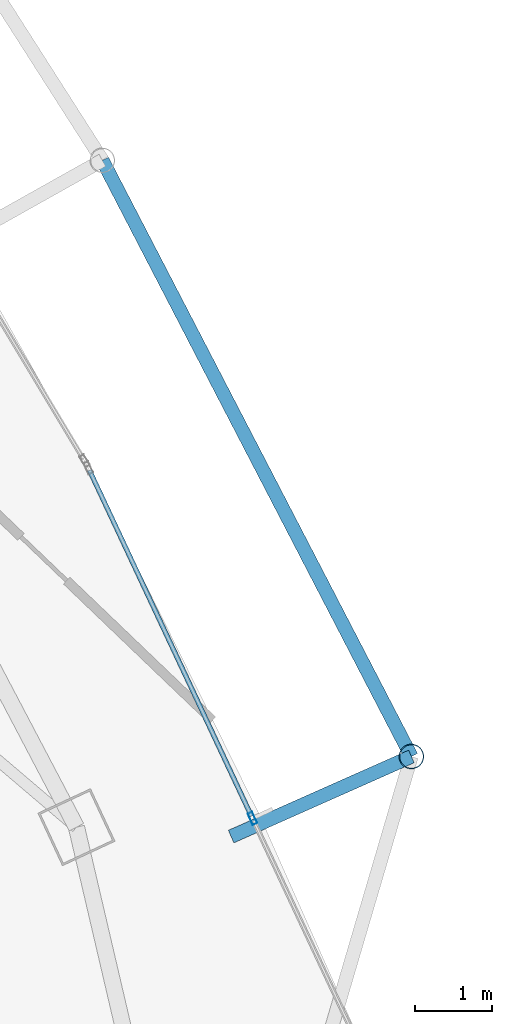
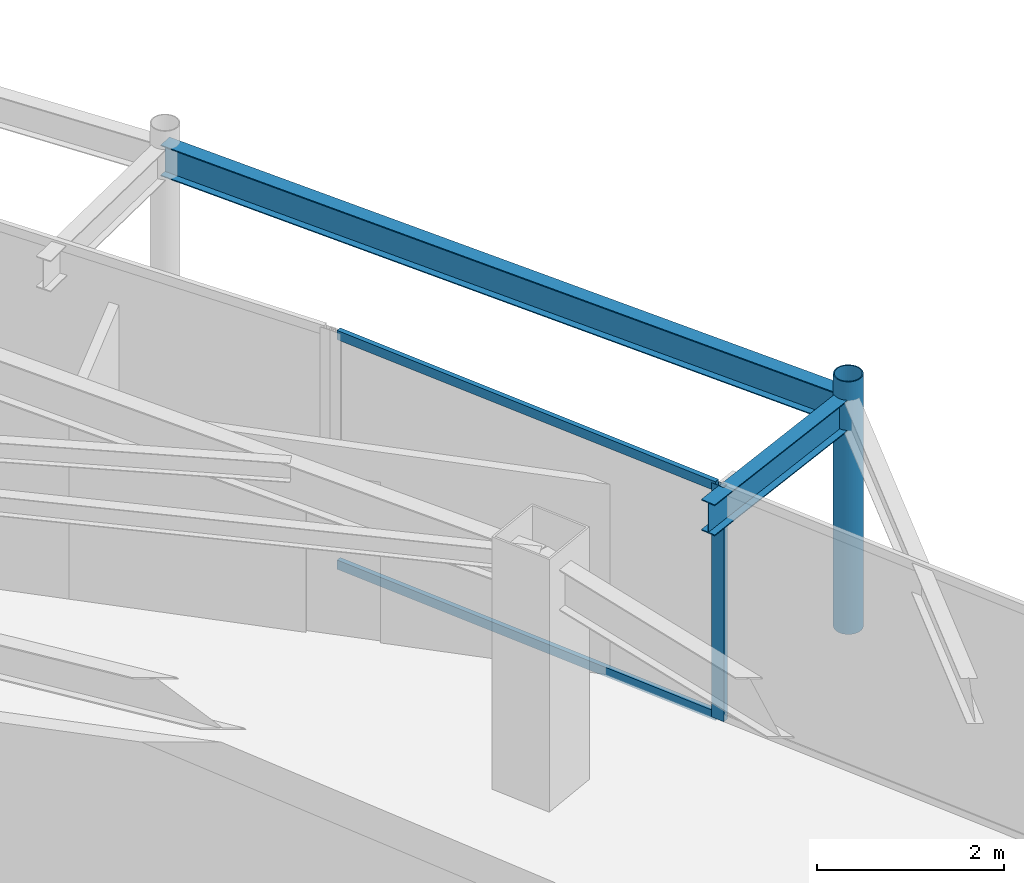
# One storey, part 19 of 32: 4 members, 2 beams, 1 element without a shape of its own.
"""IFC4 building model written with IfcOpenShell, lengths in metres."""

from ifc_helpers import new_model, si_unit, direction, frame, origin, origin_2d, place, context, subcontext, project, spatial, hollow_rectangle, hollow_circle, i_section, extrude, material, layer, layer_set, material_profile, profile_set, type_object, element, aggregate, save


model = new_model("IFC4")

# Units and contexts
model_context = context("Model", 3, precision=1e-05, world=origin(), true_north=direction((0.0, 1.0)))
body_context = subcontext(model_context, "Body", "Model", "MODEL_VIEW")
ifc_project = project(units=[si_unit("LENGTHUNIT", "METRE"), si_unit("AREAUNIT", "SQUARE_METRE"), si_unit("VOLUMEUNIT", "CUBIC_METRE"), si_unit("PLANEANGLEUNIT", "RADIAN"), si_unit("MASSUNIT", "GRAM", prefix="KILO")], contexts=[model_context])

# Site, building, storey
site_placement = place(None, origin())
site = spatial("IfcSite", under=ifc_project, at=site_placement, CompositionType="ELEMENT")
building_placement = place(site_placement, origin())
building = spatial("IfcBuilding", under=site, at=building_placement, Name="Orvanel Arch Residences", CompositionType="ELEMENT")
storey_placement = place(building_placement, frame((0.0, 0.0, 219.5)))
storey = spatial("IfcBuildingStorey", under=building, at=storey_placement, Name="L62", CompositionType="ELEMENT", Elevation=219.5)

# Curtain wall, member
ifc_material_1 = material(Name="Bronze-anodised aluminium AA6063-T6", Category="aluminium")
ifc_layer = layer(ifc_material_1, 0.175048828125)
ifc_layer_set = layer_set([ifc_layer], Name="Bronze-anodised aluminium AA6063-T6")
curtain_wall_type = type_object("IfcCurtainWallType", Name="CW4-HI-SYS", PredefinedType="NOTDEFINED", material=ifc_layer_set)
curtain_wall_placement = place(storey_placement, origin())
curtain_wall = element("IfcCurtainWall", 1, at=curtain_wall_placement, inside=storey, type_object=curtain_wall_type, Name="L62 CW4-HI-SYS Unitised Curtain Wall", PredefinedType="NOTDEFINED")
ifc_material_profile_1 = material_profile(ifc_material_1, hollow_rectangle(XDim=0.06494140625, YDim=0.159912109375, WallThickness=0.00390625, at=origin_2d()), Name="ALU160x65x4")
ifc_profile_set_1 = profile_set([ifc_material_profile_1], Name="Bronze-anodised aluminium AA6063-T6")
member_type_1 = type_object("IfcMemberType", Name="MUL-160x65", PredefinedType="MULLION", material=ifc_profile_set_1)
member_1_placement = place(storey_placement, frame((51.908447265625, 19.756103515625, 0.0), z_axis=(0.0, 0.0, 1.0), x_axis=(-0.905611523567, -0.424108203626, 0.0)))
member_1 = element("IfcMember", 2, at=member_1_placement, type_object=member_type_1, Name="CW-S4 mullion 2", PredefinedType="MULLION", context=body_context, shape_type="SweptSolid", body=[
    extrude(hollow_rectangle(XDim=0.06494140625, YDim=0.159912109375, WallThickness=0.00390625, at=origin_2d()), origin(), (0.0, 0.0, 1.0), 3.06005859375),
])

# Beams
ifc_material_2 = material(Name="Structural steel AS/NZS 3679.1 Grade 300 (300 MPa)", Category="steel")
ifc_material_profile_2 = material_profile(ifc_material_2, i_section(OverallWidth=0.177978515625, OverallDepth=0.406005859375, WebThickness=0.0078125, FlangeThickness=0.0126953125, at=origin_2d()), Name="410UB59.7")
ifc_profile_set_2 = profile_set([ifc_material_profile_2], Name="Structural steel AS/NZS 3679.1 Grade 300 (300 MPa)")
beam_type = type_object("IfcBeamType", Name="OB-410UB-EXT", PredefinedType="SPANDREL", material=ifc_profile_set_2)
beam_1_placement = place(storey_placement, frame((51.632080078125, 19.52099609375, 2.85693359375), z_axis=(0.913957555505, 0.405809791326, 0.0), x_axis=(-0.405809791326, 0.913957555505, 0.0)))
element("IfcBeam", 3, at=beam_1_placement, inside=storey, type_object=beam_type, Name="L62 Outer Frame Radial Tie Beam 09", PredefinedType="SPANDREL", context=body_context, shape_type="SweptSolid", body=[
    extrude(i_section(OverallWidth=0.177978515625, OverallDepth=0.406005859375, WebThickness=0.0078125, FlangeThickness=0.0126953125, at=origin_2d()), origin(), (0.0, 0.0, 1.0), 2.55029296875),
])
beam_2_placement = place(storey_placement, frame((53.962890625, 20.555908203125, 2.85693359375), z_axis=(-0.460193201486, 0.887818797563, 0.0), x_axis=(-0.887818797563, -0.460193201486, 0.0)))
element("IfcBeam", 4, at=beam_2_placement, inside=storey, type_object=beam_type, Name="L62 Outer Perimeter Floor Ring Beam 09", PredefinedType="SPANDREL", context=body_context, shape_type="SweptSolid", body=[
    extrude(i_section(OverallWidth=0.177978515625, OverallDepth=0.406005859375, WebThickness=0.0078125, FlangeThickness=0.0126953125, at=origin_2d()), origin(), (0.0, 0.0, 1.0), 8.680908203125),
])

# Member
ifc_material_3 = material(Name="Structural steel AS/NZS 1163 C350L0 (Grade 350)", Category="steel")
ifc_material_profile_3 = material_profile(ifc_material_3, hollow_circle(Radius=0.162109375, WallThickness=0.0126953125, at=origin_2d()), Name="CHS324x12.7")
ifc_profile_set_3 = profile_set([ifc_material_profile_3], Name="Structural steel AS/NZS 1163 C350L0 (Grade 350)")
member_type_2 = type_object("IfcMemberType", Name="ST-324CHS-EXT", PredefinedType="STRUT", material=ifc_profile_set_3)
member_2_placement = place(storey_placement, frame((53.962890625, 20.555908203125, 0.0), z_axis=(0.0, 0.0, 1.0), x_axis=(1.0, 0.0, 0.0)))
element("IfcMember", 5, at=member_2_placement, inside=storey, type_object=member_type_2, Name="L62 Outer Perimeter Frame Post 09", PredefinedType="STRUT", context=body_context, shape_type="SweptSolid", body=[
    extrude(hollow_circle(Radius=0.162109375, WallThickness=0.0126953125, at=origin_2d()), origin(), (0.0, 0.0, 1.0), 3.300048828125),
])

ifc_material_profile_4 = material_profile(ifc_material_1, hollow_rectangle(XDim=0.06005859375, YDim=0.1201171875, WallThickness=0.00341796875, at=origin_2d()), Name="ALU120x60x3.5")
ifc_profile_set_4 = profile_set([ifc_material_profile_4], Name="Bronze-anodised aluminium AA6063-T6")
member_type_3 = type_object("IfcMemberType", Name="TRN-120x60", PredefinedType="USERDEFINED", material=ifc_profile_set_4)
member_3_placement = place(storey_placement, frame((51.894775390625, 19.785400390625, 0.030029296875), z_axis=(-0.424124761503, 0.90560376914, 0.0), x_axis=(-0.90560376914, -0.424124761503, 0.0)))
member_3 = element("IfcMember", 6, at=member_3_placement, type_object=member_type_3, Name="CW-S4 transom 2.1", ObjectType="TRANSOM", PredefinedType="USERDEFINED", context=body_context, shape_type="SweptSolid", body=[
    extrude(hollow_rectangle(XDim=0.06005859375, YDim=0.1201171875, WallThickness=0.00341796875, at=origin_2d()), origin(), (0.0, 0.0, 1.0), 4.937744140625),
])

member_4_placement = place(storey_placement, frame((51.894775390625, 19.785400390625, 3.030029296875), z_axis=(-0.424124761503, 0.90560376914, 0.0), x_axis=(-0.90560376914, -0.424124761503, 0.0)))
member_4 = element("IfcMember", 7, at=member_4_placement, type_object=member_type_3, Name="CW-S4 transom 2.2", ObjectType="TRANSOM", PredefinedType="USERDEFINED", context=body_context, shape_type="SweptSolid", body=[
    extrude(hollow_rectangle(XDim=0.06005859375, YDim=0.1201171875, WallThickness=0.00341796875, at=origin_2d()), origin(), (0.0, 0.0, 1.0), 4.937744140625),
])

aggregate(curtain_wall, [member_1, member_3, member_4])

save(model, "model.ifc")
